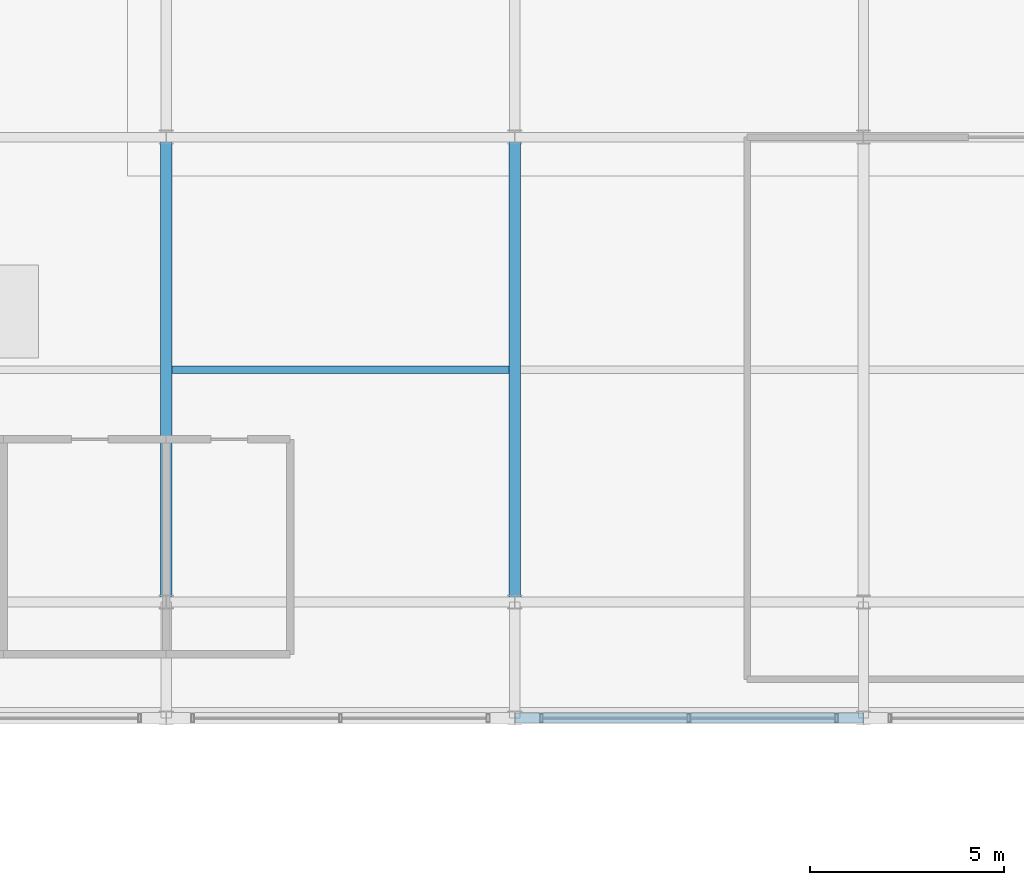
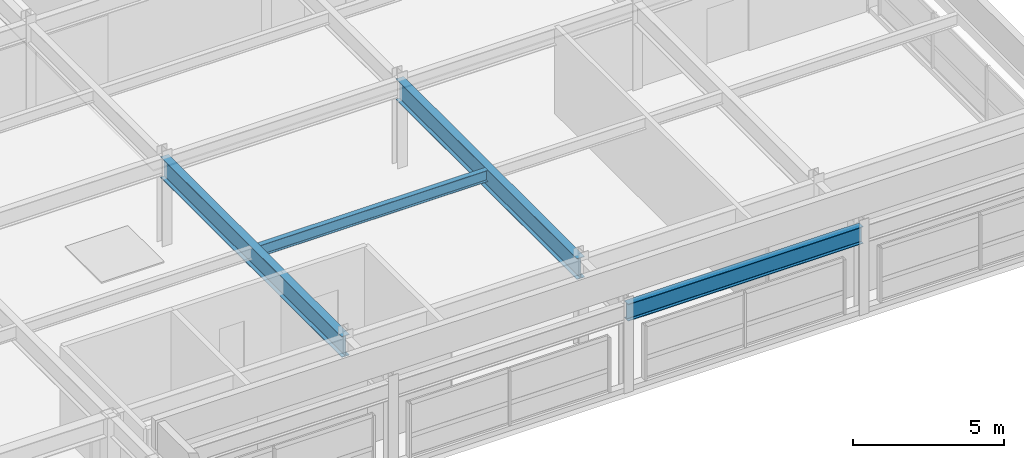
# One storey, part 72 of 108: 4 beams.
"""IFC4 building model written with IfcOpenShell, lengths in metres."""

from ifc_helpers import new_model, si_unit, direction, frame, origin, origin_2d, place, context, subcontext, project, spatial, i_section, extrude, material, material_profile, profile_set, type_object, element, save


model = new_model("IFC4")

# Units and contexts
model_context = context("Model", 3, precision=1e-05, world=origin(), true_north=direction((0.0, 1.0)))
body_context = subcontext(model_context, "Body", "Model", "MODEL_VIEW")
ifc_project = project(units=[si_unit("LENGTHUNIT", "METRE"), si_unit("AREAUNIT", "SQUARE_METRE"), si_unit("VOLUMEUNIT", "CUBIC_METRE"), si_unit("PLANEANGLEUNIT", "RADIAN"), si_unit("MASSUNIT", "GRAM", prefix="KILO")], contexts=[model_context])

# Site, building, storey
site_placement = place(None, origin())
site = spatial("IfcSite", under=ifc_project, at=site_placement, CompositionType="ELEMENT")
building_placement = place(site_placement, origin())
building = spatial("IfcBuilding", under=site, at=building_placement, Name="Kaldorvane Square Convention Centre", CompositionType="ELEMENT")
storey_placement = place(building_placement, frame((0.0, 0.0, 23.399993896484375)))
storey = spatial("IfcBuildingStorey", under=building, at=storey_placement, Name="L04", CompositionType="ELEMENT", Elevation=23.399993896484375)

# Beams
ifc_material = material(Name="Steel ASTM A992 Gr. 50", Category="steel")
ifc_material_profile_1 = material_profile(ifc_material, i_section(OverallWidth=0.25439453125, OverallDepth=0.6880950927734375, WebThickness=0.0131072998046875, FlangeThickness=0.0211029052734375, FilletRadius=0.01519775390625, at=origin_2d()), Name="W27X102")
ifc_profile_set_1 = profile_set([ifc_material_profile_1], Name="Steel ASTM A992 Gr. 50")
beam_type_1 = type_object("IfcBeamType", Name="BM-GR-W27X102", PredefinedType="BEAM", material=ifc_profile_set_1)
beam_1_placement = place(storey_placement, frame((156.0, 81.0, 3.1819000244140625), z_axis=(1.0, 0.0, 0.0), x_axis=(0.0, 1.0, 0.0)))
element("IfcBeam", 1, at=beam_1_placement, inside=storey, type_object=beam_type_1, Name="Primary Girder (L04)", PredefinedType="BEAM", context=body_context, shape_type="SweptSolid", body=[
    extrude(i_section(OverallWidth=0.25439453125, OverallDepth=0.6880950927734375, WebThickness=0.0131072998046875, FlangeThickness=0.0211029052734375, FilletRadius=0.01519775390625, at=origin_2d()), origin(), (0.0, 0.0, 1.0), 9.0),
])
ifc_material_profile_2 = material_profile(ifc_material, i_section(OverallWidth=0.292999267578125, OverallDepth=0.845794677734375, WebThickness=0.0153961181640625, FlangeThickness=0.0243988037109375, FilletRadius=0.0178070068359375, at=origin_2d()), Name="W33X141")
ifc_profile_set_2 = profile_set([ifc_material_profile_2], Name="Steel ASTM A992 Gr. 50")
beam_type_2 = type_object("IfcBeamType", Name="BM-GR-W33X141", PredefinedType="BEAM", material=ifc_profile_set_2)
for number, where, z_axis, x_axis, name in (
    (2, (147.0, 84.0, 3.1031036376953125), (0.0, 1.0, 0.0), (-1.0, 0.0, 0.0), "Transverse Girder (L04)"),
    (3, (156.0, 84.0, 3.1031036376953125), (0.0, 1.0, 0.0), (-1.0, 0.0, 0.0), "Transverse Girder (L04)"),
):
    element("IfcBeam", number, at=place(storey_placement, frame(where, z_axis=z_axis, x_axis=x_axis)), inside=storey, type_object=beam_type_2, Name=name, PredefinedType="BEAM", context=body_context, shape_type="SweptSolid", body=[
        extrude(i_section(OverallWidth=0.292999267578125, OverallDepth=0.845794677734375, WebThickness=0.0153961181640625, FlangeThickness=0.0243988037109375, FilletRadius=0.0178070068359375, at=origin_2d()), origin(), (0.0, 0.0, 1.0), 12.0),
    ])
ifc_material_profile_3 = material_profile(ifc_material, i_section(OverallWidth=0.1912994384765625, OverallDepth=0.4600067138671875, WebThickness=0.0099029541015625, FlangeThickness=0.0160064697265625, FilletRadius=0.01019287109375, at=origin_2d()), Name="W18X55")
ifc_profile_set_3 = profile_set([ifc_material_profile_3], Name="Steel ASTM A992 Gr. 50")
beam_type_3 = type_object("IfcBeamType", Name="BM-JS-W18X55", PredefinedType="JOIST", material=ifc_profile_set_3)
beam_2_placement = place(storey_placement, frame((147.14649963378906, 90.0, 3.2960052490234375), z_axis=(1.0, 0.0, 0.0), x_axis=(0.0, 1.0, 0.0)))
element("IfcBeam", 4, at=beam_2_placement, inside=storey, type_object=beam_type_3, Name="Secondary Floor Joist (L04)", PredefinedType="JOIST", context=body_context, shape_type="SweptSolid", body=[
    extrude(i_section(OverallWidth=0.1912994384765625, OverallDepth=0.4600067138671875, WebThickness=0.0099029541015625, FlangeThickness=0.0160064697265625, FilletRadius=0.01019287109375, at=origin_2d()), origin(), (0.0, 0.0, 1.0), 8.707000732421875),
])

save(model, "model.ifc")
